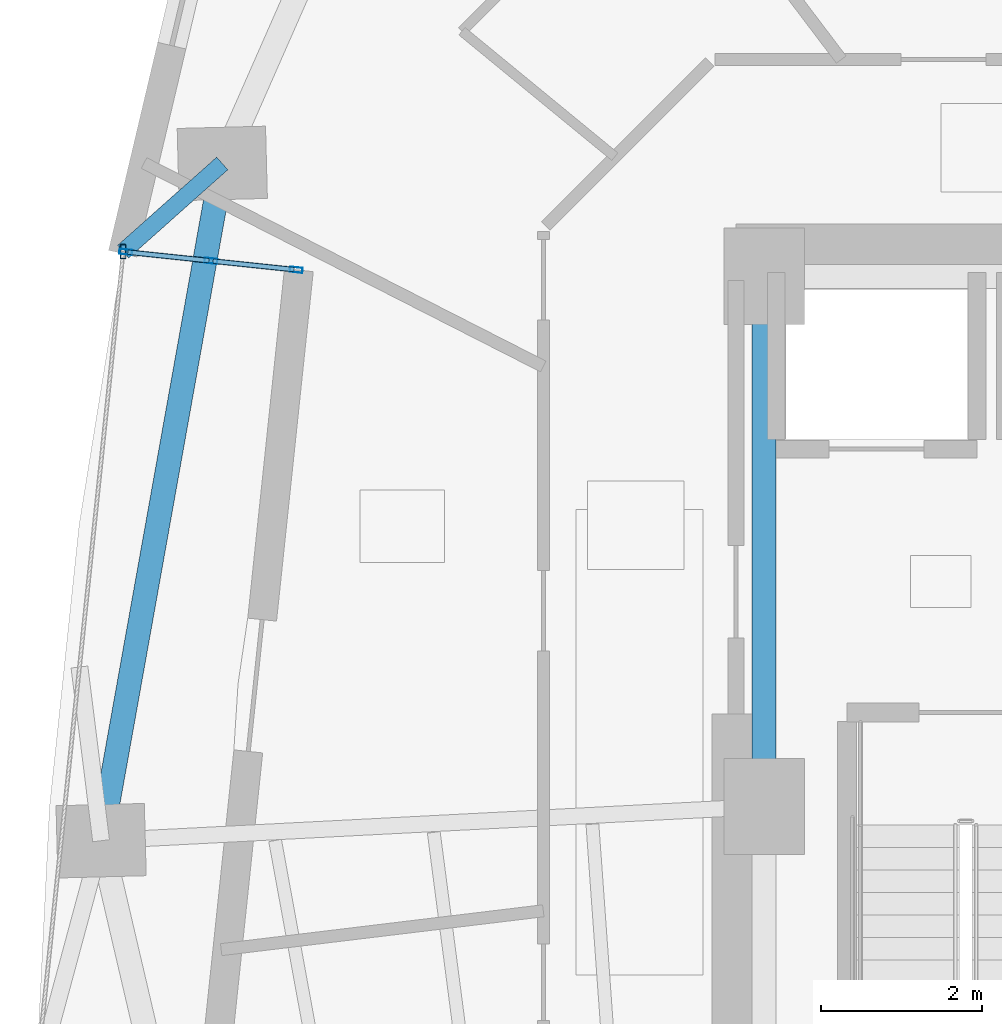
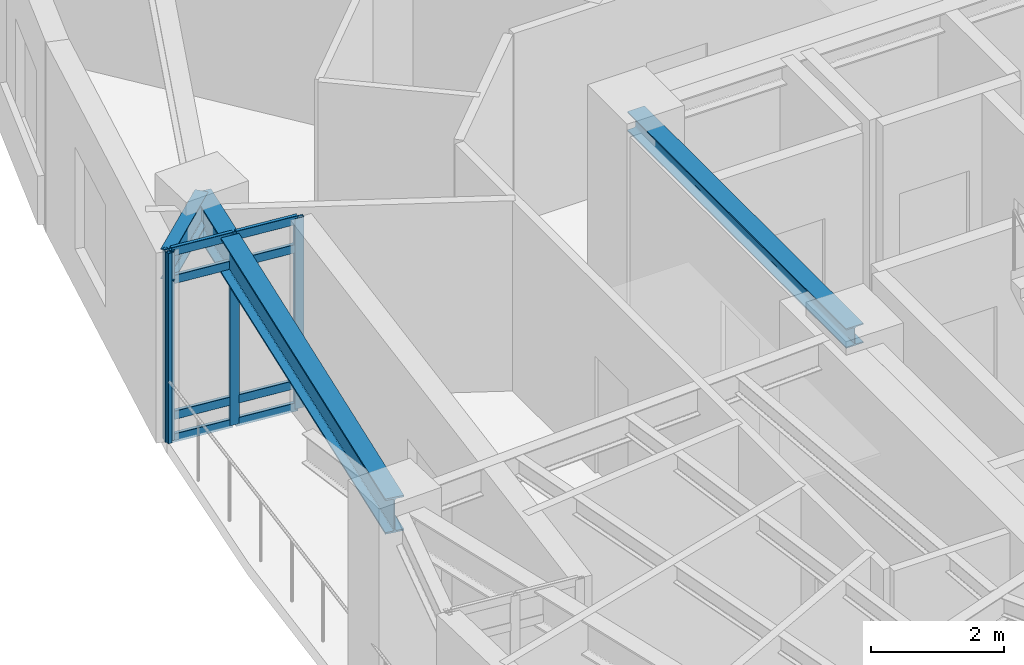
# One storey, part 3 of 12: 12 members, 3 beams, 1 element without a shape of its own.
"""IFC4 building model written with IfcOpenShell, lengths in metres."""

from ifc_helpers import new_model, si_unit, direction, frame, origin, origin_2d, place, context, subcontext, project, spatial, hollow_rectangle, i_section, extrude, material, layer, layer_set, material_profile, profile_set, type_object, element, aggregate, save


model = new_model("IFC4")

# Units and contexts
model_context = context("Model", 3, precision=1e-05, world=origin(), true_north=direction((0.0, 1.0)))
body_context = subcontext(model_context, "Body", "Model", "MODEL_VIEW")
ifc_project = project(units=[si_unit("LENGTHUNIT", "METRE"), si_unit("AREAUNIT", "SQUARE_METRE"), si_unit("VOLUMEUNIT", "CUBIC_METRE"), si_unit("PLANEANGLEUNIT", "RADIAN"), si_unit("MASSUNIT", "GRAM", prefix="KILO")], contexts=[model_context])

# Site, building, storey
site_placement = place(None, origin())
site = spatial("IfcSite", under=ifc_project, at=site_placement, CompositionType="ELEMENT")
building_placement = place(site_placement, origin())
building = spatial("IfcBuilding", under=site, at=building_placement, Name="Ndelora Gate Hotel", CompositionType="ELEMENT")
storey_placement = place(building_placement, frame((0.0, 0.0, 104.75)))
storey = spatial("IfcBuildingStorey", under=building, at=storey_placement, Name="L25", CompositionType="ELEMENT", Elevation=104.75)

# Beams
ifc_material_1 = material(Name="Steel S355", Category="steel")
ifc_material_profile_1 = material_profile(ifc_material_1, i_section(OverallWidth=0.300048828125, OverallDepth=0.360107421875, WebThickness=0.012451171875, FlangeThickness=0.0224609375, FilletRadius=0.027099609375, at=origin_2d()), Name="HEB 360")
ifc_profile_set_1 = profile_set([ifc_material_profile_1], Name="Steel S355")
beam_type_1 = type_object("IfcBeamType", Name="BM-CORE-360", PredefinedType="BEAM", material=ifc_profile_set_1)
beam_1_placement = place(storey_placement, frame((-8.0, 0.0, 3.320068359375), z_axis=(0.0, 1.0, 0.0), x_axis=(-1.0, 0.0, 0.0)))
element("IfcBeam", 1, at=beam_1_placement, inside=storey, type_object=beam_type_1, Name="L25 Core Tie Girder CC8-CC7", PredefinedType="BEAM", context=body_context, shape_type="SweptSolid", body=[
    extrude(i_section(OverallWidth=0.300048828125, OverallDepth=0.360107421875, WebThickness=0.012451171875, FlangeThickness=0.0224609375, FilletRadius=0.027099609375, at=origin_2d()), origin(), (0.0, 0.0, 1.0), 6.60009765625),
])
ifc_material_profile_2 = material_profile(ifc_material_1, i_section(OverallWidth=0.2099609375, OverallDepth=0.550048828125, WebThickness=0.010986328125, FlangeThickness=0.01708984375, FilletRadius=0.02392578125, at=origin_2d()), Name="IPE 550")
ifc_profile_set_2 = profile_set([ifc_material_profile_2], Name="Steel S355")
beam_type_2 = type_object("IfcBeamType", Name="BM-RAD-550", PredefinedType="BEAM", material=ifc_profile_set_2)
beam_2_placement = place(storey_placement, frame((-14.74658203125, 8.006591796875, 3.22509765625), z_axis=(-0.747058674237, -0.664758104311, 0.0), x_axis=(0.664758104311, -0.747058674237, 0.0)))
element("IfcBeam", 2, at=beam_2_placement, inside=storey, type_object=beam_type_2, Name="L25 Sky-Garden Loggia Column Bracket 1", PredefinedType="BEAM", context=body_context, shape_type="SweptSolid", body=[
    extrude(i_section(OverallWidth=0.2099609375, OverallDepth=0.550048828125, WebThickness=0.010986328125, FlangeThickness=0.01708984375, FilletRadius=0.02392578125, at=origin_2d()), origin(), (0.0, 0.0, 1.0), 1.65234375),
])
ifc_material_profile_3 = material_profile(ifc_material_1, i_section(OverallWidth=0.300048828125, OverallDepth=0.64990234375, WebThickness=0.01611328125, FlangeThickness=0.031005859375, FilletRadius=0.027099609375, at=origin_2d()), Name="HEB 650")
ifc_profile_set_3 = profile_set([ifc_material_profile_3], Name="Steel S355")
beam_type_3 = type_object("IfcBeamType", Name="BM-RING-650", PredefinedType="SPANDREL", material=ifc_profile_set_3)
beam_3_placement = place(storey_placement, frame((-14.74658203125, 8.006591796875, 3.175048828125), z_axis=(-0.176130938817, -0.984366746894, 0.0), x_axis=(0.984366746894, -0.176130938817, 0.0)))
element("IfcBeam", 3, at=beam_3_placement, inside=storey, type_object=beam_type_3, Name="L25 Perimeter Spandrel Girder 2", PredefinedType="SPANDREL", context=body_context, shape_type="SweptSolid", body=[
    extrude(i_section(OverallWidth=0.300048828125, OverallDepth=0.64990234375, WebThickness=0.01611328125, FlangeThickness=0.031005859375, FilletRadius=0.027099609375, at=origin_2d()), origin(), (0.0, 0.0, 1.0), 8.56640625),
])

# Curtain wall, members
ifc_material_2 = material(Name="Bronze Anodised Unitised Aluminium and Low-E Glass", Category="aluminium")
ifc_layer = layer(ifc_material_2, 0.199951171875)
ifc_layer_set = layer_set([ifc_layer], Name="Bronze Anodised Unitised Aluminium and Low-E Glass")
curtain_wall_type = type_object("IfcCurtainWallType", Name="CW-SYS-3", PredefinedType="NOTDEFINED", material=ifc_layer_set)
curtain_wall_placement = place(storey_placement, origin())
curtain_wall = element("IfcCurtainWall", 4, at=curtain_wall_placement, inside=storey, type_object=curtain_wall_type, Name="L25 Sky-Garden Loggia Side Curtain Wall CW3-1", PredefinedType="NOTDEFINED")
ifc_material_3 = material(Name="Bronze Anodised Aluminium 6063-T6", Category="aluminium")
ifc_material_profile_4 = material_profile(ifc_material_3, hollow_rectangle(XDim=0.06494140625, YDim=0.159912109375, WallThickness=0.00390625, InnerFilletRadius=0.00390625, OuterFilletRadius=0.008056640625, at=origin_2d()), Name="ALU 160x65x4")
ifc_profile_set_4 = profile_set([ifc_material_profile_4], Name="Bronze Anodised Aluminium 6063-T6")
member_type_1 = type_object("IfcMemberType", Name="MB-CW-MUL150", PredefinedType="MULLION", material=ifc_profile_set_4)
member_1_placement = place(storey_placement, frame((-13.825439453125, 6.681884765625, -0.00390625), z_axis=(0.0, 0.0, 1.0), x_axis=(-0.10450258647, -0.994524614789, 0.0)))
member_1 = element("IfcMember", 5, at=member_1_placement, type_object=member_type_1, Name="CW3 mullion 1", PredefinedType="MULLION", context=body_context, shape_type="SweptSolid", body=[
    extrude(hollow_rectangle(XDim=0.06494140625, YDim=0.159912109375, WallThickness=0.00390625, InnerFilletRadius=0.00390625, OuterFilletRadius=0.008056640625, at=origin_2d()), origin(), (0.0, 0.0, 1.0), 3.5078125),
])
member_2_placement = place(storey_placement, frame((-14.886962890625, 6.79345703125, -0.00390625), z_axis=(0.0, 0.0, 1.0), x_axis=(-0.10450258647, -0.994524614789, 0.0)))
member_2 = element("IfcMember", 6, at=member_2_placement, type_object=member_type_1, Name="CW3 mullion 2", PredefinedType="MULLION", context=body_context, shape_type="SweptSolid", body=[
    extrude(hollow_rectangle(XDim=0.06494140625, YDim=0.159912109375, WallThickness=0.00390625, InnerFilletRadius=0.00390625, OuterFilletRadius=0.008056640625, at=origin_2d()), origin(), (0.0, 0.0, 1.0), 3.5078125),
])
member_3_placement = place(storey_placement, frame((-15.94873046875, 6.90478515625, -0.00390625), z_axis=(0.0, 0.0, 1.0), x_axis=(-0.10450258647, -0.994524614789, 0.0)))
member_3 = element("IfcMember", 7, at=member_3_placement, type_object=member_type_1, Name="CW3 mullion 3", PredefinedType="MULLION", context=body_context, shape_type="SweptSolid", body=[
    extrude(hollow_rectangle(XDim=0.06494140625, YDim=0.159912109375, WallThickness=0.00390625, InnerFilletRadius=0.00390625, OuterFilletRadius=0.008056640625, at=origin_2d()), origin(), (0.0, 0.0, 1.0), 3.5078125),
])
ifc_material_profile_5 = material_profile(ifc_material_3, hollow_rectangle(XDim=0.070068359375, YDim=0.179931640625, WallThickness=0.0048828125, InnerFilletRadius=0.0048828125, OuterFilletRadius=0.010009765625, at=origin_2d()), Name="ALU 180x70x5")
ifc_profile_set_5 = profile_set([ifc_material_profile_5], Name="Bronze Anodised Aluminium 6063-T6")
member_type_2 = type_object("IfcMemberType", Name="MB-CW-MUL180", PredefinedType="MULLION", material=ifc_profile_set_5)
member_4_placement = place(storey_placement, frame((-15.98095703125, 6.908203125, 0.0), z_axis=(0.0, 0.0, 1.0), x_axis=(1.0, 0.0, 0.0)))
member_4 = element("IfcMember", 8, at=member_4_placement, type_object=member_type_2, Name="L25 Sky-Garden Loggia Corner Mullion Post 1", PredefinedType="MULLION", context=body_context, shape_type="SweptSolid", body=[
    extrude(hollow_rectangle(XDim=0.070068359375, YDim=0.179931640625, WallThickness=0.0048828125, InnerFilletRadius=0.0048828125, OuterFilletRadius=0.010009765625, at=origin_2d()), origin(), (0.0, 0.0, 1.0), 3.5),
])
ifc_material_profile_6 = material_profile(ifc_material_3, hollow_rectangle(XDim=0.06494140625, YDim=0.159912109375, WallThickness=0.00390625, InnerFilletRadius=0.00390625, OuterFilletRadius=0.008056640625, at=origin_2d()), Name="ALU 160x65x4")
ifc_profile_set_6 = profile_set([ifc_material_profile_6], Name="Bronze Anodised Aluminium 6063-T6")
member_type_3 = type_object("IfcMemberType", Name="MB-CW-TRN150", PredefinedType="USERDEFINED", material=ifc_profile_set_6)
member_5_placement = place(storey_placement, frame((-13.851806640625, 6.6845703125, 0.032470703125), z_axis=(-0.994529166593, 0.104459259027, 0.0), x_axis=(-0.104459259027, -0.994529166593, 0.0)))
member_5 = element("IfcMember", 9, at=member_5_placement, type_object=member_type_3, Name="CW3 transom 1.1", ObjectType="TRANSOM", PredefinedType="USERDEFINED", context=body_context, shape_type="SweptSolid", body=[
    extrude(hollow_rectangle(XDim=0.06494140625, YDim=0.159912109375, WallThickness=0.00390625, InnerFilletRadius=0.00390625, OuterFilletRadius=0.008056640625, at=origin_2d()), origin(), (0.0, 0.0, 1.0), 1.014404296875),
])
member_6_placement = place(storey_placement, frame((-13.851806640625, 6.6845703125, 0.449951171875), z_axis=(-0.994529166593, 0.104459259027, 0.0), x_axis=(-0.104459259027, -0.994529166593, 0.0)))
member_6 = element("IfcMember", 10, at=member_6_placement, type_object=member_type_3, Name="CW3 transom 1.2", ObjectType="TRANSOM", PredefinedType="USERDEFINED", context=body_context, shape_type="SweptSolid", body=[
    extrude(hollow_rectangle(XDim=0.06494140625, YDim=0.159912109375, WallThickness=0.00390625, InnerFilletRadius=0.00390625, OuterFilletRadius=0.008056640625, at=origin_2d()), origin(), (0.0, 0.0, 1.0), 1.014404296875),
])
member_7_placement = place(storey_placement, frame((-13.851806640625, 6.6845703125, 2.949951171875), z_axis=(-0.994529166593, 0.104459259027, 0.0), x_axis=(-0.104459259027, -0.994529166593, 0.0)))
member_7 = element("IfcMember", 11, at=member_7_placement, type_object=member_type_3, Name="CW3 transom 1.3", ObjectType="TRANSOM", PredefinedType="USERDEFINED", context=body_context, shape_type="SweptSolid", body=[
    extrude(hollow_rectangle(XDim=0.06494140625, YDim=0.159912109375, WallThickness=0.00390625, InnerFilletRadius=0.00390625, OuterFilletRadius=0.008056640625, at=origin_2d()), origin(), (0.0, 0.0, 1.0), 1.014404296875),
])
member_8_placement = place(storey_placement, frame((-13.851806640625, 6.6845703125, 3.467529296875), z_axis=(-0.994529166593, 0.104459259027, 0.0), x_axis=(-0.104459259027, -0.994529166593, 0.0)))
member_8 = element("IfcMember", 12, at=member_8_placement, type_object=member_type_3, Name="CW3 transom 1.4", ObjectType="TRANSOM", PredefinedType="USERDEFINED", context=body_context, shape_type="SweptSolid", body=[
    extrude(hollow_rectangle(XDim=0.06494140625, YDim=0.159912109375, WallThickness=0.00390625, InnerFilletRadius=0.00390625, OuterFilletRadius=0.008056640625, at=origin_2d()), origin(), (0.0, 0.0, 1.0), 1.014404296875),
])
member_9_placement = place(storey_placement, frame((-14.913330078125, 6.796142578125, 0.032470703125), z_axis=(-0.994531791991, 0.104434260277, 0.0), x_axis=(-0.104434260277, -0.994531791991, 0.0)))
member_9 = element("IfcMember", 13, at=member_9_placement, type_object=member_type_3, Name="CW3 transom 2.1", ObjectType="TRANSOM", PredefinedType="USERDEFINED", context=body_context, shape_type="SweptSolid", body=[
    extrude(hollow_rectangle(XDim=0.06494140625, YDim=0.159912109375, WallThickness=0.00390625, InnerFilletRadius=0.00390625, OuterFilletRadius=0.008056640625, at=origin_2d()), origin(), (0.0, 0.0, 1.0), 1.0146484375),
])
member_10_placement = place(storey_placement, frame((-14.913330078125, 6.796142578125, 0.449951171875), z_axis=(-0.994531791991, 0.104434260277, 0.0), x_axis=(-0.104434260277, -0.994531791991, 0.0)))
member_10 = element("IfcMember", 14, at=member_10_placement, type_object=member_type_3, Name="CW3 transom 2.2", ObjectType="TRANSOM", PredefinedType="USERDEFINED", context=body_context, shape_type="SweptSolid", body=[
    extrude(hollow_rectangle(XDim=0.06494140625, YDim=0.159912109375, WallThickness=0.00390625, InnerFilletRadius=0.00390625, OuterFilletRadius=0.008056640625, at=origin_2d()), origin(), (0.0, 0.0, 1.0), 1.0146484375),
])
member_11_placement = place(storey_placement, frame((-14.913330078125, 6.796142578125, 2.949951171875), z_axis=(-0.994531791991, 0.104434260277, 0.0), x_axis=(-0.104434260277, -0.994531791991, 0.0)))
member_11 = element("IfcMember", 15, at=member_11_placement, type_object=member_type_3, Name="CW3 transom 2.3", ObjectType="TRANSOM", PredefinedType="USERDEFINED", context=body_context, shape_type="SweptSolid", body=[
    extrude(hollow_rectangle(XDim=0.06494140625, YDim=0.159912109375, WallThickness=0.00390625, InnerFilletRadius=0.00390625, OuterFilletRadius=0.008056640625, at=origin_2d()), origin(), (0.0, 0.0, 1.0), 1.0146484375),
])
member_12_placement = place(storey_placement, frame((-14.913330078125, 6.796142578125, 3.467529296875), z_axis=(-0.994531791991, 0.104434260277, 0.0), x_axis=(-0.104434260277, -0.994531791991, 0.0)))
member_12 = element("IfcMember", 16, at=member_12_placement, type_object=member_type_3, Name="CW3 transom 2.4", ObjectType="TRANSOM", PredefinedType="USERDEFINED", context=body_context, shape_type="SweptSolid", body=[
    extrude(hollow_rectangle(XDim=0.06494140625, YDim=0.159912109375, WallThickness=0.00390625, InnerFilletRadius=0.00390625, OuterFilletRadius=0.008056640625, at=origin_2d()), origin(), (0.0, 0.0, 1.0), 1.0146484375),
])
aggregate(curtain_wall, [member_1, member_2, member_3, member_5, member_6, member_7, member_8, member_9, member_10, member_11, member_12, member_4])

save(model, "model.ifc")
